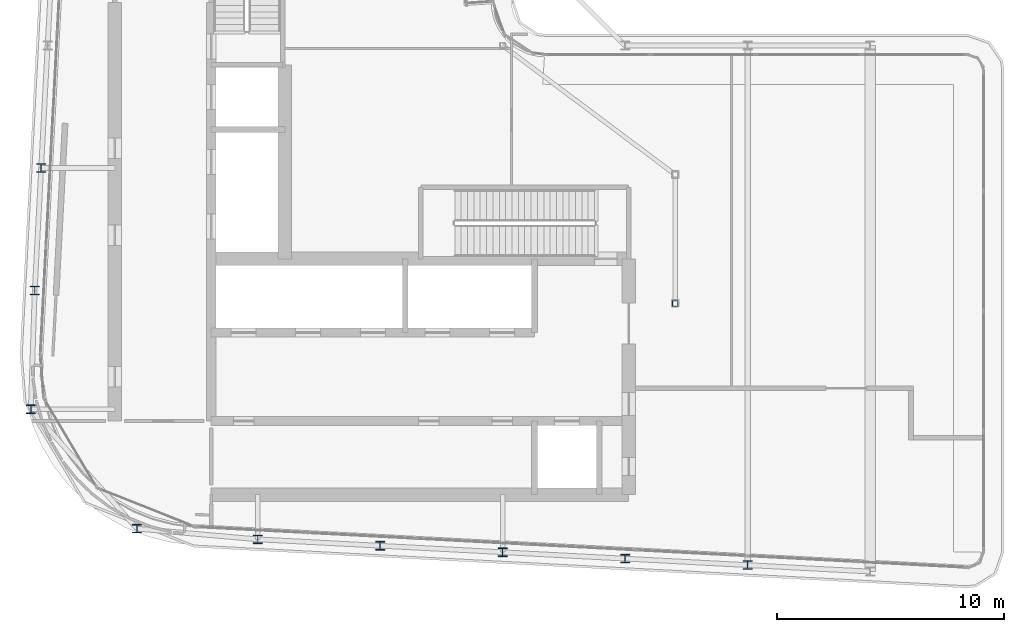
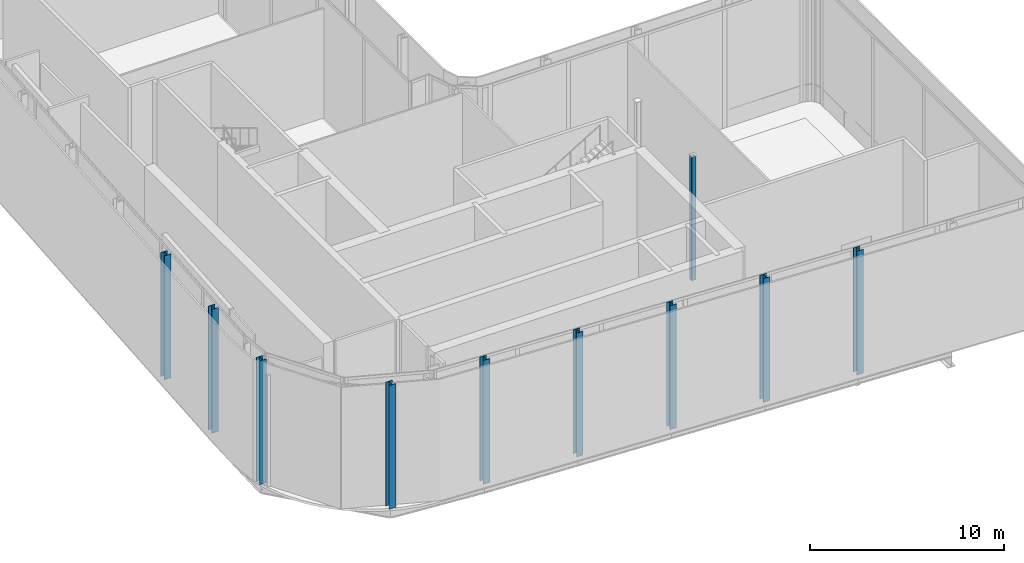
# One storey, part 1 of 28: 10 columns.
"""IFC4 building model written with IfcOpenShell, lengths in metres."""

from ifc_helpers import new_model, si_unit, direction, frame, origin, origin_2d, place, context, subcontext, project, spatial, hollow_rectangle, i_section, extrude, material, material_profile, profile_set, type_object, element, save


model = new_model("IFC4")

# Units and contexts
model_context = context("Model", 3, precision=1e-05, world=origin(), true_north=direction((0.0, 1.0)))
body_context = subcontext(model_context, "Body", "Model", "MODEL_VIEW")
ifc_project = project(units=[si_unit("LENGTHUNIT", "METRE"), si_unit("AREAUNIT", "SQUARE_METRE"), si_unit("VOLUMEUNIT", "CUBIC_METRE"), si_unit("PLANEANGLEUNIT", "RADIAN"), si_unit("MASSUNIT", "GRAM", prefix="KILO")], contexts=[model_context])

# Site, building, storey
site_placement = place(None, origin())
site = spatial("IfcSite", under=ifc_project, at=site_placement, CompositionType="ELEMENT")
building_placement = place(site_placement, origin())
building = spatial("IfcBuilding", under=site, at=building_placement, Name="Kheshtan School and Residences Tower", CompositionType="ELEMENT")
storey_placement = place(building_placement, frame((0.0, 0.0, 325.39990234375)))
storey = spatial("IfcBuildingStorey", under=building, at=storey_placement, Name="L77", CompositionType="ELEMENT", Elevation=325.39990234375)

# Columns
ifc_material_1 = material(Name="Steel ASTM A992 Grade 50", Category="steel")
ifc_material_profile_1 = material_profile(ifc_material_1, i_section(OverallWidth=0.39501953125, OverallDepth=0.3798828125, WebThickness=0.018798828125, FlangeThickness=0.0302734375, FilletRadius=0.011474609375, at=origin_2d()), Name="W360x237")
ifc_profile_set_1 = profile_set([ifc_material_profile_1], Name="Steel ASTM A992 Grade 50")
column_type_1 = type_object("IfcColumnType", Name="Column C5 W360x237 ASTM A992 Grade 50", PredefinedType="COLUMN", material=ifc_profile_set_1)
for number, where, z_axis, x_axis, name in (
    (1, (58.39990234375, 22.695068359375, 0.0), (0.0, 0.0, 1.0), (1.0, 0.0, 0.0), "Column C018"),
    (2, (53.0, 22.97998046875, 0.0), (0.0, 0.0, 1.0), (1.0, 0.0, 0.0), "Column C019"),
    (3, (47.60009765625, 23.263916015625, 0.0), (0.0, 0.0, 1.0), (1.0, 0.0, 0.0), "Column C020"),
    (4, (42.199951171875, 23.548095703125, 0.0), (0.0, 0.0, 1.0), (1.0, 0.0, 0.0), "Column C021"),
    (5, (36.800048828125, 23.83203125, 0.0), (0.0, 0.0, 1.0), (1.0, 0.0, 0.0), "Column C022"),
    (6, (31.47412109375, 24.302001953125, 0.0), (0.0, 0.0, 1.0), (1.0, 0.0, 0.0), "Column C031"),
    (7, (26.797119140625, 29.56591796875, 0.0), (0.0, 0.0, 1.0), (1.0, 0.0, 0.0), "Column C044"),
    (8, (26.968994140625, 34.800048828125, 0.0), (0.0, 0.0, 1.0), (1.0, 0.0, 0.0), "Column C052"),
    (9, (27.2529296875, 40.199951171875, 0.0), (0.0, 0.0, 1.0), (1.0, 0.0, 0.0), "Column C056"),
):
    element("IfcColumn", number, at=place(storey_placement, frame(where, z_axis=z_axis, x_axis=x_axis)), inside=storey, type_object=column_type_1, Name=name, PredefinedType="COLUMN", context=body_context, shape_type="SweptSolid", body=[
        extrude(i_section(OverallWidth=0.39501953125, OverallDepth=0.3798828125, WebThickness=0.018798828125, FlangeThickness=0.0302734375, FilletRadius=0.011474609375, at=origin_2d()), origin(), (0.0, 0.0, 1.0), 7.800048828125),
    ])
ifc_material_2 = material(Name="Steel ASTM A500 Grade C", Category="steel")
ifc_material_profile_2 = material_profile(ifc_material_2, hollow_rectangle(XDim=0.25390625, YDim=0.25390625, WallThickness=0.0126953125, InnerFilletRadius=0.0126953125, OuterFilletRadius=0.025390625, at=origin_2d()), Name="HSS 254x254x12.7")
ifc_profile_set_2 = profile_set([ifc_material_profile_2], Name="Steel ASTM A500 Grade C")
column_type_2 = type_object("IfcColumnType", Name="Column IC3 HSS 254x254x12.7 ASTM A500 Grade C", PredefinedType="COLUMN", material=ifc_profile_set_2)
column_placement = place(storey_placement, frame((55.199951171875, 34.23193359375, 0.0), z_axis=(0.0, 0.0, 1.0), x_axis=(1.0, 0.0, 0.0)))
element("IfcColumn", 10, at=column_placement, inside=storey, type_object=column_type_2, Name="Column C051", PredefinedType="COLUMN", context=body_context, shape_type="SweptSolid", body=[
    extrude(hollow_rectangle(XDim=0.25390625, YDim=0.25390625, WallThickness=0.0126953125, InnerFilletRadius=0.0126953125, OuterFilletRadius=0.025390625, at=origin_2d()), origin(), (0.0, 0.0, 1.0), 7.800048828125),
])

save(model, "model.ifc")
